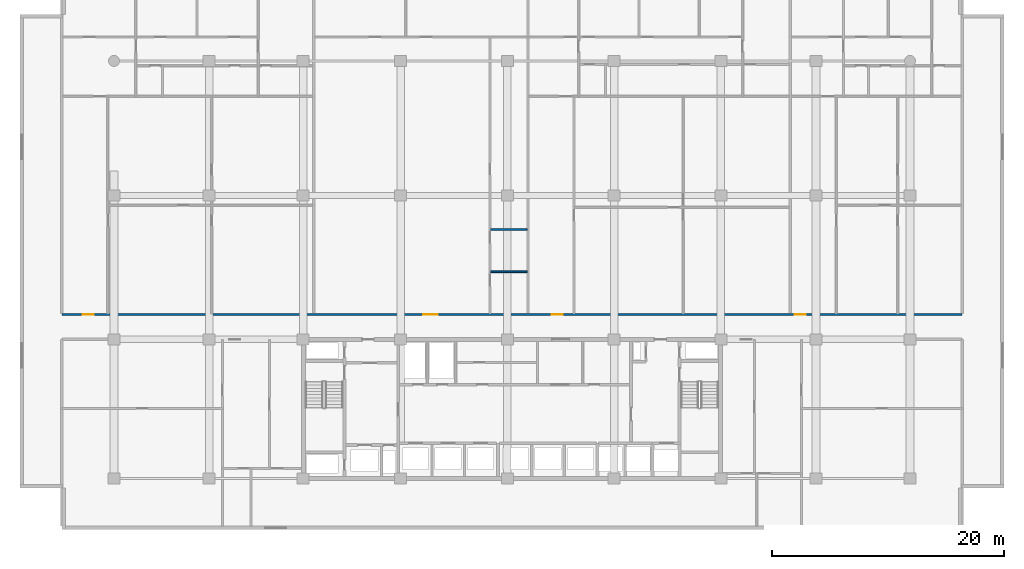
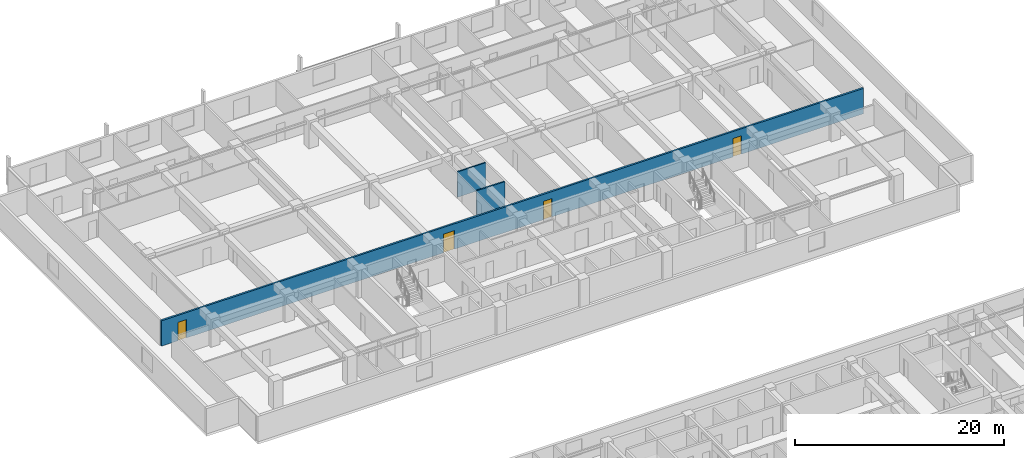
# One storey, part 13 of 23: 4 doors, 3 walls, 4 openings.
"""IFC4 building model written with IfcOpenShell, lengths in metres."""

from ifc_helpers import new_model, si_unit, direction, frame, frame_2d, origin, place, context, subcontext, project, spatial, rectangle, extrude, material, layer, layer_set, type_object, element, fill, save


model = new_model("IFC4")

# Units and contexts
model_context = context("Model", 3, precision=1e-05, world=origin(), true_north=direction((0.0, 1.0)))
body_context = subcontext(model_context, "Body", "Model", "MODEL_VIEW")
ifc_project = project(units=[si_unit("LENGTHUNIT", "METRE"), si_unit("AREAUNIT", "SQUARE_METRE"), si_unit("VOLUMEUNIT", "CUBIC_METRE"), si_unit("PLANEANGLEUNIT", "RADIAN"), si_unit("MASSUNIT", "GRAM", prefix="KILO")], contexts=[model_context])

# Site, building, storey
site_placement = place(None, origin())
site = spatial("IfcSite", under=ifc_project, at=site_placement, CompositionType="ELEMENT")
building_placement = place(site_placement, origin())
building = spatial("IfcBuilding", under=site, at=building_placement, Name="Korimba Cascade Residences", CompositionType="ELEMENT")
storey_placement = place(building_placement, frame((0.0, 0.0, 53.25)))
storey = spatial("IfcBuildingStorey", under=building, at=storey_placement, Name="L14", CompositionType="ELEMENT", Elevation=53.25)

# Wall, openings, doors
ifc_material_1 = material(Name="Precast concrete C40/50", Category="concrete")
ifc_layer_1 = layer(ifc_material_1, 0.199951171875)
ifc_layer_set_1 = layer_set([ifc_layer_1], Name="Precast concrete C40/50")
wall_type_1 = type_object("IfcWallType", Name="WAL-IT-200", PredefinedType="PARTITIONING", material=ifc_layer_set_1)
wall_placement = place(storey_placement, frame((55.300048828125, 69.35009765625, 0.0), z_axis=(0.0, 0.0, 1.0), x_axis=(1.0, 0.0, 0.0)))
wall = element("IfcWall", 1, at=wall_placement, inside=storey, type_object=wall_type_1, Name="L14 Partition Wall WAL-L14-T1-CORN", PredefinedType="PARTITIONING", context=body_context, shape_type="SweptSolid", body=[
    extrude(rectangle(XDim=77.599853515625, YDim=0.199951171875, at=frame_2d((38.7998046875, 0.0))), origin(), (0.0, 0.0, 1.0), 2.969970703125),
])
opening_1_placement = place(wall_placement, frame((1.81005859375, 0.0, 0.0)))
opening_1 = element("IfcOpeningElement", 2, at=opening_1_placement, cuts=wall, Name="Opening D-UN1", PredefinedType="OPENING", context=body_context, shape_type="SweptSolid", body=[
    extrude(rectangle(XDim=0.949951171875, YDim=2.14990234375, at=frame_2d((0.47509765625, 1.074951171875))), frame((0.0, 0.10986328125, 0.0), z_axis=(0.0, -1.0, 0.0), x_axis=(1.0, 0.0, 0.0)), (0.0, 0.0, 1.0), 0.219970703125),
])
opening_2_placement = place(wall_placement, frame((31.160888671875, 0.0, 0.0)))
opening_2 = element("IfcOpeningElement", 3, at=opening_2_placement, cuts=wall, Name="Opening D-AM1", PredefinedType="OPENING", context=body_context, shape_type="SweptSolid", body=[
    extrude(rectangle(XDim=1.219970703125, YDim=2.179931640625, at=frame_2d((0.60986328125, 1.08984375))), frame((0.0, 0.10986328125, 0.0), z_axis=(0.0, -1.0, 0.0), x_axis=(1.0, 0.0, 0.0)), (0.0, 0.0, 1.0), 0.219970703125),
])
opening_3_placement = place(wall_placement, frame((42.222412109375, 0.0, 0.0)))
opening_3 = element("IfcOpeningElement", 4, at=opening_3_placement, cuts=wall, Name="Opening D-UN1", PredefinedType="OPENING", context=body_context, shape_type="SweptSolid", body=[
    extrude(rectangle(XDim=0.949951171875, YDim=2.14990234375, at=frame_2d((0.47509765625, 1.074951171875))), frame((0.0, 0.10986328125, 0.0), z_axis=(0.0, -1.0, 0.0), x_axis=(1.0, 0.0, 0.0)), (0.0, 0.0, 1.0), 0.219970703125),
])
opening_4_placement = place(wall_placement, frame((63.153076171875, 0.0, 0.0)))
opening_4 = element("IfcOpeningElement", 5, at=opening_4_placement, cuts=wall, Name="Opening D-UN1", PredefinedType="OPENING", context=body_context, shape_type="SweptSolid", body=[
    extrude(rectangle(XDim=0.949951171875, YDim=2.14990234375, at=frame_2d((0.47509765625, 1.074951171875))), frame((0.0, 0.10986328125, 0.0), z_axis=(0.0, -1.0, 0.0), x_axis=(1.0, 0.0, 0.0)), (0.0, 0.0, 1.0), 0.219970703125),
])
ifc_material_2 = material(Name="Fire-Rated Glazed Timber Suite Door", Category="wood")
door_type_1 = type_object("IfcDoorType", Name="DR-FD60-1200", OperationType="NOTDEFINED", PredefinedType="DOOR", material=ifc_material_2)
door_1_placement = place(opening_2_placement, origin())
door_1 = element("IfcDoor", 6, at=door_1_placement, inside=storey, type_object=door_type_1, Name="L14-T1-U02 Architecture Reading Library Door", OperationType="SINGLE_SWING_LEFT", OverallHeight=2.179931640625, OverallWidth=1.219970703125, PredefinedType="DOOR", context=body_context, shape_type="SweptSolid", body=[
    extrude(rectangle(XDim=1.219970703125, YDim=2.179931640625, at=frame_2d((0.60986328125, 1.08984375))), frame((0.0, 0.02490234375, 0.0), z_axis=(0.0, -1.0, 0.0), x_axis=(1.0, 0.0, 0.0)), (0.0, 0.0, 1.0), 0.050048828125),
])
fill(opening_2, door_1)
ifc_material_3 = material(Name="Fire-Rated Hardwood Apartment Entrance Door", Category="wood")
door_type_2 = type_object("IfcDoorType", Name="DR-FD60-950", OperationType="NOTDEFINED", PredefinedType="DOOR", material=ifc_material_3)
door_2_placement = place(opening_1_placement, origin())
door_2 = element("IfcDoor", 7, at=door_2_placement, inside=storey, type_object=door_type_2, Name="Unit L14-T1-U01 Entrance Door", OperationType="SINGLE_SWING_RIGHT", OverallHeight=2.14990234375, OverallWidth=0.949951171875, PredefinedType="DOOR", context=body_context, shape_type="SweptSolid", body=[
    extrude(rectangle(XDim=0.949951171875, YDim=2.14990234375, at=frame_2d((0.47509765625, 1.074951171875))), frame((0.0, 0.02490234375, 0.0), z_axis=(0.0, -1.0, 0.0), x_axis=(1.0, 0.0, 0.0)), (0.0, 0.0, 1.0), 0.050048828125),
])
fill(opening_1, door_2)
door_3_placement = place(opening_3_placement, origin())
door_3 = element("IfcDoor", 8, at=door_3_placement, inside=storey, type_object=door_type_2, Name="Unit L14-T1-U03 Entrance Door", OperationType="SINGLE_SWING_RIGHT", OverallHeight=2.14990234375, OverallWidth=0.949951171875, PredefinedType="DOOR", context=body_context, shape_type="SweptSolid", body=[
    extrude(rectangle(XDim=0.949951171875, YDim=2.14990234375, at=frame_2d((0.47509765625, 1.074951171875))), frame((0.0, 0.02490234375, 0.0), z_axis=(0.0, -1.0, 0.0), x_axis=(1.0, 0.0, 0.0)), (0.0, 0.0, 1.0), 0.050048828125),
])
fill(opening_3, door_3)
door_4_placement = place(opening_4_placement, origin())
door_4 = element("IfcDoor", 9, at=door_4_placement, inside=storey, type_object=door_type_2, Name="Unit L14-T1-U04 Entrance Door", OperationType="SINGLE_SWING_LEFT", OverallHeight=2.14990234375, OverallWidth=0.949951171875, PredefinedType="DOOR", context=body_context, shape_type="SweptSolid", body=[
    extrude(rectangle(XDim=0.949951171875, YDim=2.14990234375, at=frame_2d((0.47509765625, 1.074951171875))), frame((0.0, 0.02490234375, 0.0), z_axis=(0.0, -1.0, 0.0), x_axis=(1.0, 0.0, 0.0)), (0.0, 0.0, 1.0), 0.050048828125),
])
fill(opening_4, door_4)

# Walls
ifc_material_4 = material(Name="Insulated Acoustic Stud Partition", Category="gypsum")
ifc_layer_2 = layer(ifc_material_4, 0.14990234375)
ifc_layer_set_2 = layer_set([ifc_layer_2], Name="Insulated Acoustic Stud Partition")
wall_type_2 = type_object("IfcWallType", Name="WAL-PART-150", PredefinedType="PARTITIONING", material=ifc_layer_set_2)
for number, where, z_axis, x_axis, name in (
    (10, (92.267333984375, 73.02001953125, 0.0), (0.0, 0.0, 1.0), (1.0, 0.0, 0.0), "L14 Partition Wall WAL-L14-T1-U02-WCH"),
    (11, (92.267333984375, 76.669921875, 0.0), (0.0, 0.0, 1.0), (1.0, 0.0, 0.0), "L14 Partition Wall WAL-L14-T1-U02-WCH2"),
):
    element("IfcWall", number, at=place(storey_placement, frame(where, z_axis=z_axis, x_axis=x_axis)), inside=storey, type_object=wall_type_2, Name=name, PredefinedType="PARTITIONING", context=body_context, shape_type="SweptSolid", body=[
        extrude(rectangle(XDim=3.1298828125, YDim=0.14990234375, at=frame_2d((1.56494140625, 0.0))), origin(), (0.0, 0.0, 1.0), 2.969970703125),
    ])

save(model, "model.ifc")
